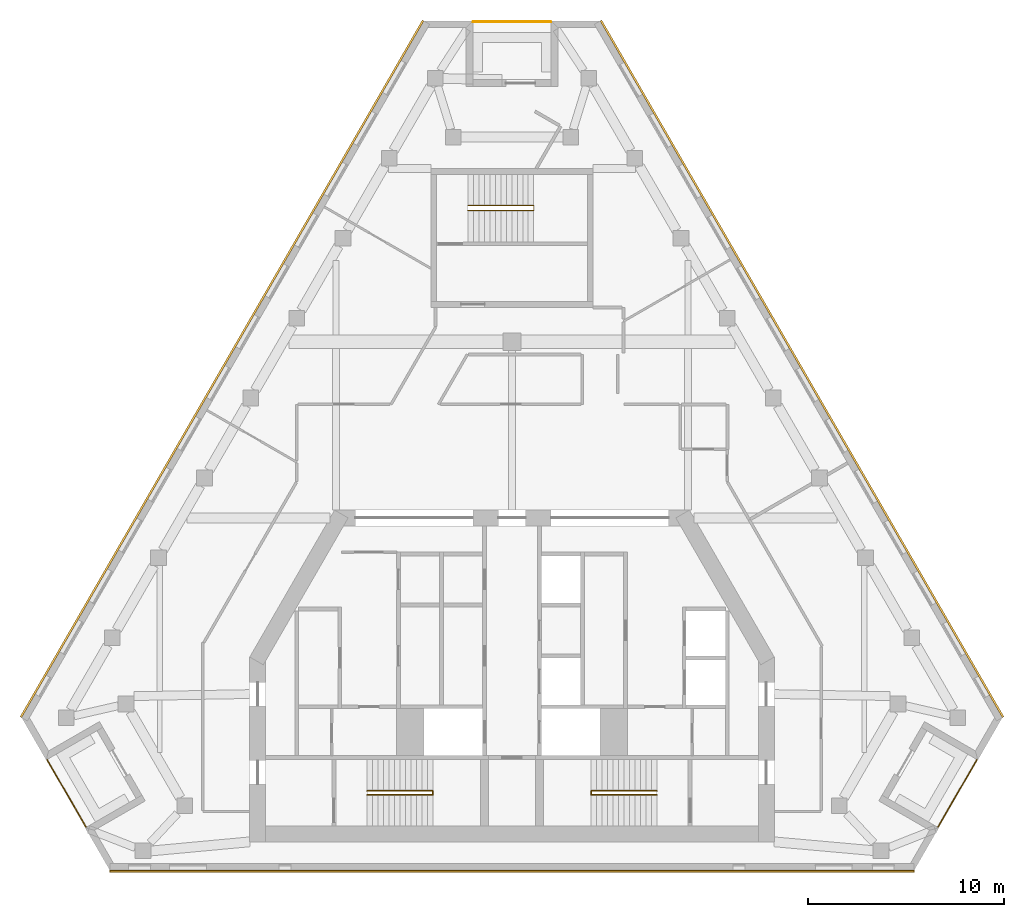
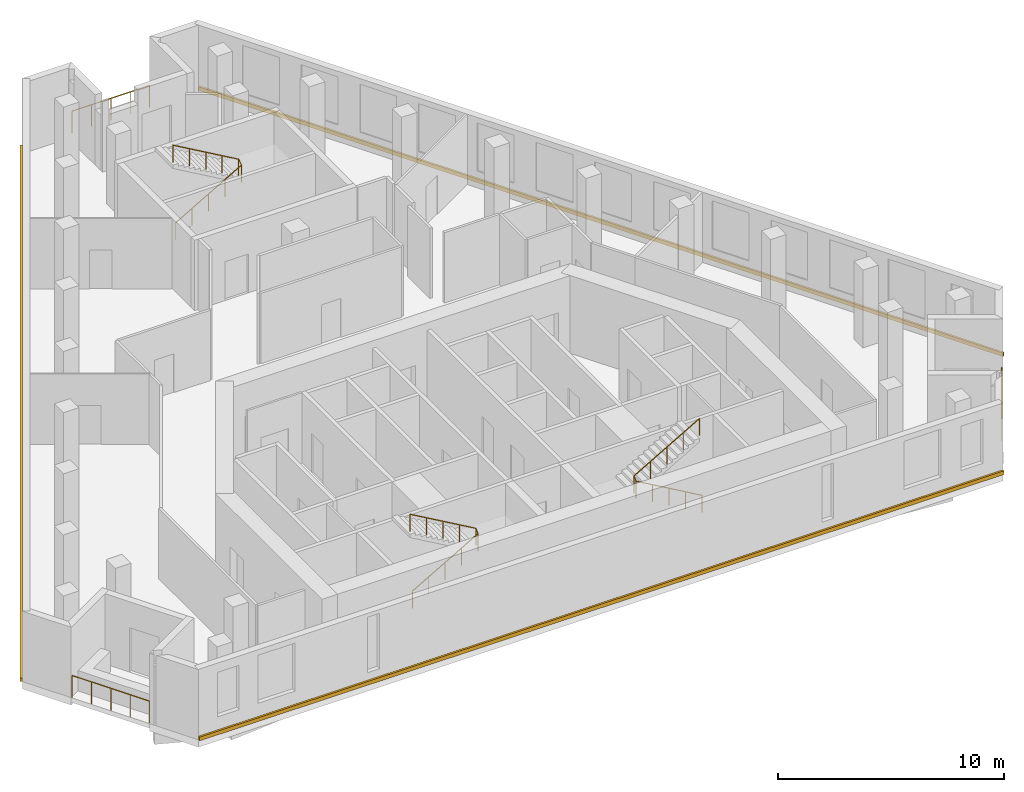
# One storey, part 8 of 8: 6 railings, 3 coverings.
"""IFC4 building model written with IfcOpenShell, lengths in metres."""

from ifc_helpers import new_model, si_unit, direction, frame, origin, origin_2d, place, context, subcontext, project, spatial, polyline, circle, outline, extrude, material, type_object, element, save


model = new_model("IFC4")

# Units and contexts
model_context = context("Model", 3, precision=1e-05, world=origin(), true_north=direction((0.0, 1.0)))
body_context = subcontext(model_context, "Body", "Model", "MODEL_VIEW")
ifc_project = project(units=[si_unit("LENGTHUNIT", "METRE"), si_unit("AREAUNIT", "SQUARE_METRE"), si_unit("VOLUMEUNIT", "CUBIC_METRE"), si_unit("PLANEANGLEUNIT", "RADIAN"), si_unit("MASSUNIT", "GRAM", prefix="KILO")], contexts=[model_context])

# Site, building, storey
site_placement = place(None, origin())
site = spatial("IfcSite", under=ifc_project, at=site_placement, CompositionType="ELEMENT")
building_placement = place(site_placement, origin())
building = spatial("IfcBuilding", under=site, at=building_placement, Name="Fogline Exchange Tower", CompositionType="ELEMENT")
storey_placement = place(building_placement, frame((0.0, 0.0, 296.10009765625)))
storey = spatial("IfcBuildingStorey", under=building, at=storey_placement, Name="L67", CompositionType="ELEMENT", Elevation=296.10009765625)

# Railings
ifc_material_1 = material(Name="Stainless steel 304", Category="steel")
railing_type_1 = type_object("IfcRailingType", Name="G1", PredefinedType="GUARDRAIL", material=ifc_material_1)
railing_1_placement = place(storey_placement, frame((-23.748291015625, 5.635986328125, 0.0)))
element("IfcRailing", 1, at=railing_1_placement, inside=storey, type_object=railing_type_1, Name="Balcony guard L67 SW", PredefinedType="GUARDRAIL", context=body_context, shape_type="SweptSolid", body=[
    extrude(circle(Radius=0.02392578125, at=origin_2d()), frame((0.0, 0.0, 1.17578125), z_axis=(0.500000102728, -0.866025344474, 0.0), x_axis=(0.866025344474, 0.500000102728, 0.0)), (0.0, 0.0, 1.0), 3.9580078125),
    extrude(circle(Radius=0.02099609375, at=origin_2d()), origin(), (0.0, 0.0, 1.0), 1.15185546875),
    extrude(circle(Radius=0.02099609375, at=origin_2d()), frame((0.49462890625, -0.85693359375, 0.0)), (0.0, 0.0, 1.0), 1.15185546875),
    extrude(circle(Radius=0.02099609375, at=origin_2d()), frame((0.989501953125, -1.7138671875, 0.0)), (0.0, 0.0, 1.0), 1.15185546875),
    extrude(circle(Radius=0.02099609375, at=origin_2d()), frame((1.484375, -2.57080078125, 0.0)), (0.0, 0.0, 1.0), 1.15185546875),
    extrude(circle(Radius=0.02099609375, at=origin_2d()), frame((1.97900390625, -3.427734375, 0.0)), (0.0, 0.0, 1.0), 1.15185546875),
])
railing_2_placement = place(storey_placement, frame((21.769287109375, 2.208251953125, 0.0)))
element("IfcRailing", 2, at=railing_2_placement, inside=storey, type_object=railing_type_1, Name="Balcony guard L67 SE", PredefinedType="GUARDRAIL", context=body_context, shape_type="SweptSolid", body=[
    extrude(circle(Radius=0.02392578125, at=origin_2d()), frame((0.0, 0.0, 1.17578125), z_axis=(0.500000102728, 0.866025344474, 0.0), x_axis=(-0.866025344474, 0.500000102728, 0.0)), (0.0, 0.0, 1.0), 3.9580078125),
    extrude(circle(Radius=0.02099609375, at=origin_2d()), origin(), (0.0, 0.0, 1.0), 1.15185546875),
    extrude(circle(Radius=0.02099609375, at=origin_2d()), frame((0.49462890625, 0.85693359375, 0.0)), (0.0, 0.0, 1.0), 1.15185546875),
    extrude(circle(Radius=0.02099609375, at=origin_2d()), frame((0.989501953125, 1.7138671875, 0.0)), (0.0, 0.0, 1.0), 1.15185546875),
    extrude(circle(Radius=0.02099609375, at=origin_2d()), frame((1.484375, 2.57080078125, 0.0)), (0.0, 0.0, 1.0), 1.15185546875),
    extrude(circle(Radius=0.02099609375, at=origin_2d()), frame((1.97900390625, 3.427734375, 0.0)), (0.0, 0.0, 1.0), 1.15185546875),
])
railing_3_placement = place(storey_placement, frame((1.97900390625, 43.341796875, 0.0)))
element("IfcRailing", 3, at=railing_3_placement, inside=storey, type_object=railing_type_1, Name="Balcony guard L67 N", PredefinedType="GUARDRAIL", context=body_context, shape_type="SweptSolid", body=[
    extrude(circle(Radius=0.02392578125, at=origin_2d()), frame((0.0, 0.0, 1.17578125), z_axis=(-1.0, 0.0, 0.0), x_axis=(0.0, -1.0, 0.0)), (0.0, 0.0, 1.0), 3.9580078125),
    extrude(circle(Radius=0.02099609375, at=origin_2d()), origin(), (0.0, 0.0, 1.0), 1.15185546875),
    extrude(circle(Radius=0.02099609375, at=origin_2d()), frame((-0.989501953125, 0.0, 0.0)), (0.0, 0.0, 1.0), 1.15185546875),
    extrude(circle(Radius=0.02099609375, at=origin_2d()), frame((-1.97900390625, 0.0, 0.0)), (0.0, 0.0, 1.0), 1.15185546875),
    extrude(circle(Radius=0.02099609375, at=origin_2d()), frame((-2.968505859375, 0.0, 0.0)), (0.0, 0.0, 1.0), 1.15185546875),
    extrude(circle(Radius=0.02099609375, at=origin_2d()), frame((-3.9580078125, 0.0, 0.0)), (0.0, 0.0, 1.0), 1.15185546875),
])
ifc_material_2 = material(Name="Steel Q235B", Category="steel")
railing_type_2 = type_object("IfcRailingType", Name="RL-HR", PredefinedType="HANDRAIL", material=ifc_material_2)
railing_4_placement = place(storey_placement, frame((-7.39990234375, 3.85009765625, 0.161376953125)))
element("IfcRailing", 4, at=railing_4_placement, inside=storey, type_object=railing_type_2, Name="Handrail ST1", PredefinedType="HANDRAIL", context=body_context, shape_type="SweptSolid", body=[
    extrude(circle(Radius=0.02392578125, at=origin_2d()), frame((0.0, 0.0, 0.92578125), z_axis=(0.866175107563, 0.0, 0.499740615757), x_axis=(0.0, 1.0, 0.0)), (0.0, 0.0, 1.0), 3.87890625),
    extrude(circle(Radius=0.02392578125, at=origin_2d()), frame((3.35986328125, 0.0, 2.8642578125), z_axis=(0.0, 0.777709044463, 0.628624404682), x_axis=(-1.0, 0.0, 0.0)), (0.0, 0.0, 1.0), 0.257080078125),
    extrude(circle(Radius=0.02392578125, at=origin_2d()), frame((3.35986328125, 0.199951171875, 3.02587890625), z_axis=(-0.866175107563, 0.0, 0.499740615757), x_axis=(0.0, -1.0, 0.0)), (0.0, 0.0, 1.0), 3.87890625),
    extrude(circle(Radius=0.02099609375, at=origin_2d()), origin(), (0.0, 0.0, 1.0), 0.90185546875),
    extrude(circle(Radius=0.02099609375, at=origin_2d()), frame((0.83984375, 0.0, 0.484619140625)), (0.0, 0.0, 1.0), 0.90185546875),
    extrude(circle(Radius=0.02099609375, at=origin_2d()), frame((1.679931640625, 0.0, 0.96923828125)), (0.0, 0.0, 1.0), 0.90185546875),
    extrude(circle(Radius=0.02099609375, at=origin_2d()), frame((2.52001953125, 0.0, 1.453857421875)), (0.0, 0.0, 1.0), 0.90185546875),
    extrude(circle(Radius=0.02099609375, at=origin_2d()), frame((3.35986328125, 0.0, 1.9384765625)), (0.0, 0.0, 1.0), 0.90185546875),
    extrude(circle(Radius=0.02099609375, at=origin_2d()), frame((3.35986328125, 0.199951171875, 2.10009765625)), (0.0, 0.0, 1.0), 0.90185546875),
    extrude(circle(Radius=0.02099609375, at=origin_2d()), frame((2.52001953125, 0.199951171875, 2.584716796875)), (0.0, 0.0, 1.0), 0.90185546875),
    extrude(circle(Radius=0.02099609375, at=origin_2d()), frame((1.679931640625, 0.199951171875, 3.0693359375)), (0.0, 0.0, 1.0), 0.90185546875),
    extrude(circle(Radius=0.02099609375, at=origin_2d()), frame((0.83984375, 0.199951171875, 3.553955078125)), (0.0, 0.0, 1.0), 0.90185546875),
    extrude(circle(Radius=0.02099609375, at=origin_2d()), frame((0.0, 0.199951171875, 4.03857421875)), (0.0, 0.0, 1.0), 0.90185546875),
])
railing_5_placement = place(storey_placement, frame((7.39990234375, 3.85009765625, 0.161376953125)))
element("IfcRailing", 5, at=railing_5_placement, inside=storey, type_object=railing_type_2, Name="Handrail ST2", PredefinedType="HANDRAIL", context=body_context, shape_type="SweptSolid", body=[
    extrude(circle(Radius=0.02392578125, at=origin_2d()), frame((0.0, 0.0, 0.92578125), z_axis=(-0.866175107563, 0.0, 0.499740615757), x_axis=(0.0, -1.0, 0.0)), (0.0, 0.0, 1.0), 3.87890625),
    extrude(circle(Radius=0.02392578125, at=origin_2d()), frame((-3.35986328125, 0.0, 2.8642578125), z_axis=(0.0, 0.777709044463, 0.628624404682), x_axis=(-1.0, 0.0, 0.0)), (0.0, 0.0, 1.0), 0.257080078125),
    extrude(circle(Radius=0.02392578125, at=origin_2d()), frame((-3.35986328125, 0.199951171875, 3.02587890625), z_axis=(0.866175107563, 0.0, 0.499740615757), x_axis=(0.0, 1.0, 0.0)), (0.0, 0.0, 1.0), 3.87890625),
    extrude(circle(Radius=0.02099609375, at=origin_2d()), origin(), (0.0, 0.0, 1.0), 0.90185546875),
    extrude(circle(Radius=0.02099609375, at=origin_2d()), frame((-0.83984375, 0.0, 0.484619140625)), (0.0, 0.0, 1.0), 0.90185546875),
    extrude(circle(Radius=0.02099609375, at=origin_2d()), frame((-1.679931640625, 0.0, 0.96923828125)), (0.0, 0.0, 1.0), 0.90185546875),
    extrude(circle(Radius=0.02099609375, at=origin_2d()), frame((-2.52001953125, 0.0, 1.453857421875)), (0.0, 0.0, 1.0), 0.90185546875),
    extrude(circle(Radius=0.02099609375, at=origin_2d()), frame((-3.35986328125, 0.0, 1.9384765625)), (0.0, 0.0, 1.0), 0.90185546875),
    extrude(circle(Radius=0.02099609375, at=origin_2d()), frame((-3.35986328125, 0.199951171875, 2.10009765625)), (0.0, 0.0, 1.0), 0.90185546875),
    extrude(circle(Radius=0.02099609375, at=origin_2d()), frame((-2.52001953125, 0.199951171875, 2.584716796875)), (0.0, 0.0, 1.0), 0.90185546875),
    extrude(circle(Radius=0.02099609375, at=origin_2d()), frame((-1.679931640625, 0.199951171875, 3.0693359375)), (0.0, 0.0, 1.0), 0.90185546875),
    extrude(circle(Radius=0.02099609375, at=origin_2d()), frame((-0.83984375, 0.199951171875, 3.553955078125)), (0.0, 0.0, 1.0), 0.90185546875),
    extrude(circle(Radius=0.02099609375, at=origin_2d()), frame((0.0, 0.199951171875, 4.03857421875)), (0.0, 0.0, 1.0), 0.90185546875),
])
railing_6_placement = place(storey_placement, frame((-2.25, 33.70703125, 0.161376953125)))
element("IfcRailing", 6, at=railing_6_placement, inside=storey, type_object=railing_type_2, Name="Handrail ST3", PredefinedType="HANDRAIL", context=body_context, shape_type="SweptSolid", body=[
    extrude(circle(Radius=0.02392578125, at=origin_2d()), frame((0.0, 0.0, 0.92578125), z_axis=(0.866190824863, 0.0, 0.499713372768), x_axis=(0.0, 1.0, 0.0)), (0.0, 0.0, 1.0), 3.879150390625),
    extrude(circle(Radius=0.02392578125, at=origin_2d()), frame((3.360107421875, 0.0, 2.8642578125), z_axis=(0.0, 0.839790117141, 0.542911189011), x_axis=(-1.0, 0.0, 0.0)), (0.0, 0.0, 1.0), 0.297607421875),
    extrude(circle(Radius=0.02392578125, at=origin_2d()), frame((3.360107421875, 0.25, 3.02587890625), z_axis=(-0.866190824863, 0.0, 0.499713372768), x_axis=(0.0, -1.0, 0.0)), (0.0, 0.0, 1.0), 3.879150390625),
    extrude(circle(Radius=0.02099609375, at=origin_2d()), origin(), (0.0, 0.0, 1.0), 0.90185546875),
    extrude(circle(Radius=0.02099609375, at=origin_2d()), frame((0.840087890625, 0.0, 0.484619140625)), (0.0, 0.0, 1.0), 0.90185546875),
    extrude(circle(Radius=0.02099609375, at=origin_2d()), frame((1.68017578125, 0.0, 0.96923828125)), (0.0, 0.0, 1.0), 0.90185546875),
    extrude(circle(Radius=0.02099609375, at=origin_2d()), frame((2.52001953125, 0.0, 1.453857421875)), (0.0, 0.0, 1.0), 0.90185546875),
    extrude(circle(Radius=0.02099609375, at=origin_2d()), frame((3.360107421875, 0.0, 1.9384765625)), (0.0, 0.0, 1.0), 0.90185546875),
    extrude(circle(Radius=0.02099609375, at=origin_2d()), frame((3.360107421875, 0.25, 2.10009765625)), (0.0, 0.0, 1.0), 0.90185546875),
    extrude(circle(Radius=0.02099609375, at=origin_2d()), frame((2.52001953125, 0.25, 2.584716796875)), (0.0, 0.0, 1.0), 0.90185546875),
    extrude(circle(Radius=0.02099609375, at=origin_2d()), frame((1.68017578125, 0.25, 3.0693359375)), (0.0, 0.0, 1.0), 0.90185546875),
    extrude(circle(Radius=0.02099609375, at=origin_2d()), frame((0.840087890625, 0.25, 3.553955078125)), (0.0, 0.0, 1.0), 0.90185546875),
    extrude(circle(Radius=0.02099609375, at=origin_2d()), frame((0.0, 0.25, 4.03857421875)), (0.0, 0.0, 1.0), 0.90185546875),
])

# Coverings
ifc_material_3 = material(Name="Brick masonry", Category="masonry")
covering_type = type_object("IfcCoveringType", Name="SB1", PredefinedType="CLADDING", material=ifc_material_3)
covering_1_placement = place(storey_placement, origin())
element("IfcCovering", 7, at=covering_1_placement, inside=storey, type_object=covering_type, Name="Stringcourse band L67 S", PredefinedType="CLADDING", context=body_context, shape_type="SweptSolid", body=[
    extrude(outline(polyline([(-20.55224609375, 0.0), (-20.55224609375, -0.10009765625), (20.55224609375, -0.10009765625), (20.55224609375, 0.0), (-20.55224609375, 0.0)])), origin(), (0.0, 0.0, 1.0), 0.199951171875),
])
covering_2_placement = place(storey_placement, origin())
element("IfcCovering", 8, at=covering_2_placement, inside=storey, type_object=covering_type, Name="Stringcourse band L67 E", PredefinedType="CLADDING", context=body_context, shape_type="SweptSolid", body=[
    extrude(outline(polyline([(25.05224609375, 7.794189453125), (25.138916015625, 7.84423828125), (4.586669921875, 43.441650390625), (4.5, 43.3916015625), (25.05224609375, 7.794189453125)])), origin(), (0.0, 0.0, 1.0), 0.199951171875),
])
covering_3_placement = place(storey_placement, origin())
element("IfcCovering", 9, at=covering_3_placement, inside=storey, type_object=covering_type, Name="Stringcourse band L67 W", PredefinedType="CLADDING", context=body_context, shape_type="SweptSolid", body=[
    extrude(outline(polyline([(-4.5, 43.3916015625), (-4.586669921875, 43.441650390625), (-25.138916015625, 7.84423828125), (-25.05224609375, 7.794189453125), (-4.5, 43.3916015625)])), origin(), (0.0, 0.0, 1.0), 0.199951171875),
])

save(model, "model.ifc")
